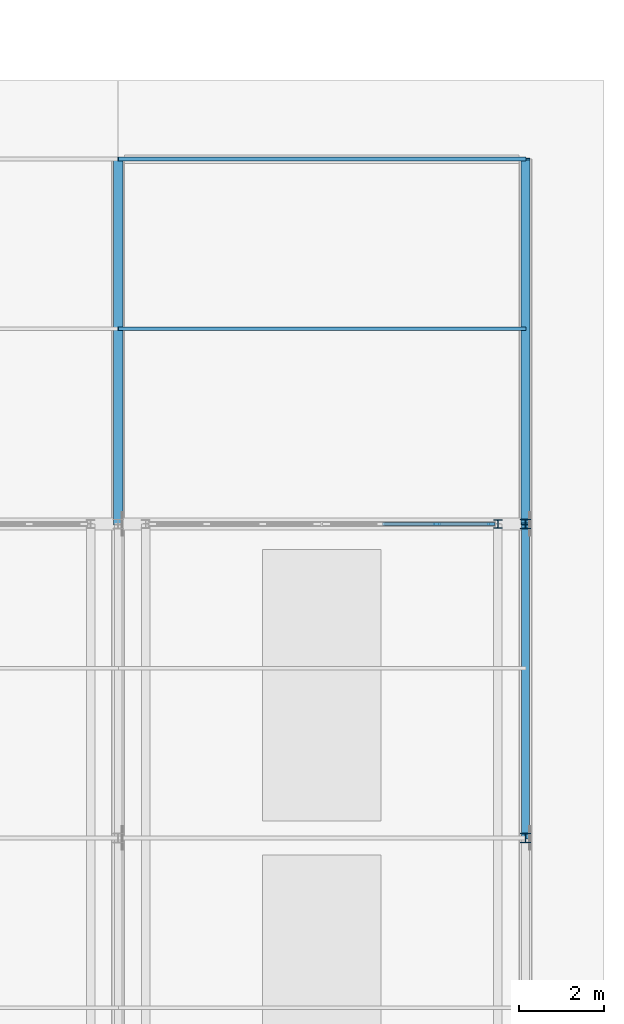
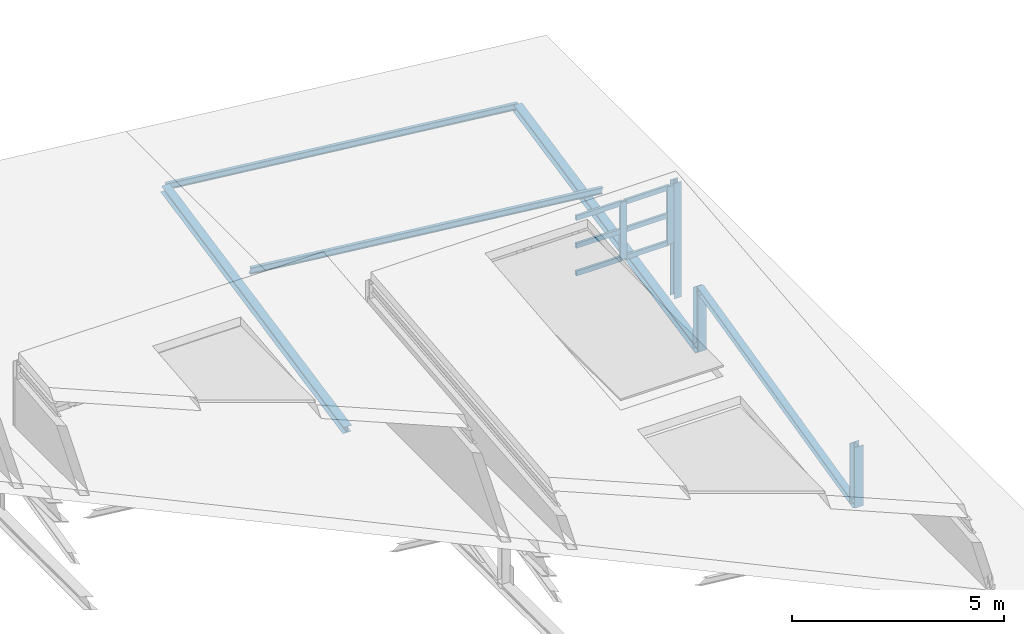
# One storey, part 24 of 30: 16 members, 1 element without a shape of its own.
"""IFC4 building model written with IfcOpenShell, lengths in metres."""

from ifc_helpers import new_model, si_unit, direction, frame, origin, origin_2d, place, context, subcontext, project, spatial, rectangle, i_section, extrude, material, layer, layer_set, material_profile, profile_set, type_object, element, aggregate, save


model = new_model("IFC4")

# Units and contexts
model_context = context("Model", 3, precision=1e-05, world=origin(), true_north=direction((0.0, 1.0)))
body_context = subcontext(model_context, "Body", "Model", "MODEL_VIEW")
ifc_project = project(units=[si_unit("LENGTHUNIT", "METRE"), si_unit("AREAUNIT", "SQUARE_METRE"), si_unit("VOLUMEUNIT", "CUBIC_METRE"), si_unit("PLANEANGLEUNIT", "RADIAN"), si_unit("MASSUNIT", "GRAM", prefix="KILO")], contexts=[model_context])

# Site, building, storey
site_placement = place(None, origin())
site = spatial("IfcSite", under=ifc_project, at=site_placement, CompositionType="ELEMENT")
building_placement = place(site_placement, origin())
building = spatial("IfcBuilding", under=site, at=building_placement, Name="Alderhovde Museum", CompositionType="ELEMENT")
storey_placement = place(building_placement, frame((0.0, 0.0, 30.699951171875)))
storey = spatial("IfcBuildingStorey", under=building, at=storey_placement, Name="RF", CompositionType="ELEMENT", Elevation=30.699951171875)

# Curtain wall, members
ifc_material_1 = material(Name="Triple-Glazed Bronze-Anodised Curtain Wall", Category="glass")
ifc_layer = layer(ifc_material_1, 0.179931640625)
ifc_layer_set = layer_set([ifc_layer], Name="Triple-Glazed Bronze-Anodised Curtain Wall")
curtain_wall_type = type_object("IfcCurtainWallType", Name="CW-STIC-394x166", PredefinedType="USERDEFINED", material=ifc_layer_set)
curtain_wall_placement = place(storey_placement, origin())
curtain_wall = element("IfcCurtainWall", 1, at=curtain_wall_placement, inside=storey, type_object=curtain_wall_type, Name="RF Stick Curtain Wall 178", ObjectType="STICK CURTAIN WALL", PredefinedType="USERDEFINED")
ifc_material_2 = material(Name="Bronze-Anodised Aluminium EN AW-6063-T6", Category="aluminium")
ifc_material_profile_1 = material_profile(ifc_material_2, rectangle(XDim=0.06494140625, YDim=0.179931640625, at=origin_2d()), Name="MULLION 65x180")
ifc_profile_set_1 = profile_set([ifc_material_profile_1], Name="Bronze-Anodised Aluminium EN AW-6063-T6")
member_type_1 = type_object("IfcMemberType", Name="CWM-65x180", PredefinedType="MULLION", material=ifc_profile_set_1)
member_1_placement = place(storey_placement, frame((74.706787109375, 71.39990234375, -6.421875), z_axis=(0.0, 0.0, 1.0), x_axis=(0.0, 1.0, 0.0)))
member_1 = element("IfcMember", 2, at=member_1_placement, type_object=member_type_1, Name="CW39 mullion 3", PredefinedType="MULLION", context=body_context, shape_type="SweptSolid", body=[
    extrude(rectangle(XDim=0.06494140625, YDim=0.179931640625, at=origin_2d()), origin(), (0.0, 0.0, 1.0), 1.659912109375),
])
member_2_placement = place(storey_placement, frame((75.987548828125, 71.39990234375, -6.421875), z_axis=(0.0, 0.0, 1.0), x_axis=(0.0, 1.0, 0.0)))
member_2 = element("IfcMember", 3, at=member_2_placement, type_object=member_type_1, Name="CW39 mullion 4", PredefinedType="MULLION", context=body_context, shape_type="SweptSolid", body=[
    extrude(rectangle(XDim=0.06494140625, YDim=0.179931640625, at=origin_2d()), origin(), (0.0, 0.0, 1.0), 1.659912109375),
])
ifc_material_3 = material(Name="Bronze-Anodised Aluminium EN AW-6063-T6", Category="aluminium")
ifc_material_profile_2 = material_profile(ifc_material_3, rectangle(XDim=0.06494140625, YDim=0.139892578125, at=origin_2d()), Name="TRANSOM 65x140")
ifc_profile_set_2 = profile_set([ifc_material_profile_2], Name="Bronze-Anodised Aluminium EN AW-6063-T6")
member_type_2 = type_object("IfcMemberType", Name="CWT-65x140", PredefinedType="USERDEFINED", material=ifc_profile_set_2)
member_3_placement = place(storey_placement, frame((73.42578125, 71.39990234375, -6.389404296875), z_axis=(1.0, 0.0, 0.0), x_axis=(0.0, 1.0, 0.0)))
member_3 = element("IfcMember", 4, at=member_3_placement, type_object=member_type_2, Name="CW39 transom 2.1", ObjectType="TRANSOM", PredefinedType="USERDEFINED", context=body_context, shape_type="SweptSolid", body=[
    extrude(rectangle(XDim=0.06494140625, YDim=0.139892578125, at=origin_2d()), origin(), (0.0, 0.0, 1.0), 1.248291015625),
])
member_4_placement = place(storey_placement, frame((73.42578125, 71.39990234375, -5.592041015625), z_axis=(1.0, 0.0, 0.0), x_axis=(0.0, 1.0, 0.0)))
member_4 = element("IfcMember", 5, at=member_4_placement, type_object=member_type_2, Name="CW39 transom 2.2", ObjectType="TRANSOM", PredefinedType="USERDEFINED", context=body_context, shape_type="SweptSolid", body=[
    extrude(rectangle(XDim=0.06494140625, YDim=0.139892578125, at=origin_2d()), origin(), (0.0, 0.0, 1.0), 1.248291015625),
])
member_5_placement = place(storey_placement, frame((73.42578125, 71.39990234375, -4.79443359375), z_axis=(1.0, 0.0, 0.0), x_axis=(0.0, 1.0, 0.0)))
member_5 = element("IfcMember", 6, at=member_5_placement, type_object=member_type_2, Name="CW39 transom 2.3", ObjectType="TRANSOM", PredefinedType="USERDEFINED", context=body_context, shape_type="SweptSolid", body=[
    extrude(rectangle(XDim=0.06494140625, YDim=0.139892578125, at=origin_2d()), origin(), (0.0, 0.0, 1.0), 1.248291015625),
])
member_6_placement = place(storey_placement, frame((74.7392578125, 71.39990234375, -6.389404296875), z_axis=(1.0, 0.0, 0.0), x_axis=(0.0, 1.0, 0.0)))
member_6 = element("IfcMember", 7, at=member_6_placement, type_object=member_type_2, Name="CW39 transom 3.1", ObjectType="TRANSOM", PredefinedType="USERDEFINED", context=body_context, shape_type="SweptSolid", body=[
    extrude(rectangle(XDim=0.06494140625, YDim=0.139892578125, at=origin_2d()), origin(), (0.0, 0.0, 1.0), 1.2158203125),
])
member_7_placement = place(storey_placement, frame((74.7392578125, 71.39990234375, -5.592041015625), z_axis=(1.0, 0.0, 0.0), x_axis=(0.0, 1.0, 0.0)))
member_7 = element("IfcMember", 8, at=member_7_placement, type_object=member_type_2, Name="CW39 transom 3.2", ObjectType="TRANSOM", PredefinedType="USERDEFINED", context=body_context, shape_type="SweptSolid", body=[
    extrude(rectangle(XDim=0.06494140625, YDim=0.139892578125, at=origin_2d()), origin(), (0.0, 0.0, 1.0), 1.2158203125),
])
member_8_placement = place(storey_placement, frame((74.7392578125, 71.39990234375, -4.79443359375), z_axis=(1.0, 0.0, 0.0), x_axis=(0.0, 1.0, 0.0)))
member_8 = element("IfcMember", 9, at=member_8_placement, type_object=member_type_2, Name="CW39 transom 3.3", ObjectType="TRANSOM", PredefinedType="USERDEFINED", context=body_context, shape_type="SweptSolid", body=[
    extrude(rectangle(XDim=0.06494140625, YDim=0.139892578125, at=origin_2d()), origin(), (0.0, 0.0, 1.0), 1.2158203125),
])
aggregate(curtain_wall, [member_1, member_2, member_3, member_4, member_5, member_6, member_7, member_8])

# Members
ifc_material_4 = material(Name="Steel S355J2", Category="steel")
ifc_material_profile_3 = material_profile(ifc_material_4, i_section(OverallWidth=0.091064453125, OverallDepth=0.179931640625, WebThickness=0.00537109375, FlangeThickness=0.008056640625, FilletRadius=0.009033203125, at=origin_2d()), Name="IPE 180")
ifc_profile_set_3 = profile_set([ifc_material_profile_3], Name="Steel S355J2")
member_type_3 = type_object("IfcMemberType", Name="PRL-IPE180", PredefinedType="PURLIN", material=ifc_profile_set_3)
for number, where, z_axis, x_axis, name in (
    (10, (67.199951171875, 76.0, -6.921630859375), (0.994201715794, 0.0, -0.107531150432), (0.0, 1.0, 0.0), "Folded Wing Roof Purlin Bay 7 Y=76"),
    (11, (67.199951171875, 80.0, -6.921630859375), (0.994201715794, 0.0, -0.107531150432), (0.0, 1.0, 0.0), "Folded Wing Roof Purlin Bay 7 Y=80"),
):
    element("IfcMember", number, at=place(storey_placement, frame(where, z_axis=z_axis, x_axis=x_axis)), inside=storey, type_object=member_type_3, Name=name, PredefinedType="PURLIN", context=body_context, shape_type="SweptSolid", body=[
        extrude(i_section(OverallWidth=0.091064453125, OverallDepth=0.179931640625, WebThickness=0.00537109375, FlangeThickness=0.008056640625, FilletRadius=0.009033203125, at=origin_2d()), origin(), (0.0, 0.0, 1.0), 9.656005859375),
    ])
ifc_material_5 = material(Name="Steel S355J2", Category="steel")
ifc_material_profile_4 = material_profile(ifc_material_5, i_section(OverallWidth=0.179931640625, OverallDepth=0.1708984375, WebThickness=0.006103515625, FlangeThickness=0.009521484375, FilletRadius=0.014892578125, at=origin_2d()), Name="HEA 180")
ifc_profile_set_4 = profile_set([ifc_material_profile_4], Name="Steel S355J2")
member_type_4 = type_object("IfcMemberType", Name="TR-DG-HEA180", PredefinedType="RAFTER", material=ifc_profile_set_4)
member_9_placement = place(storey_placement, frame((76.800048828125, 64.0, -9.75), z_axis=(0.0, 0.973157163281, 0.230141555473), x_axis=(-1.0, 0.0, 0.0)))
element("IfcMember", 12, at=member_9_placement, inside=storey, type_object=member_type_4, Name="Sawtooth Roof Truss X=76.8 Web Diagonal 3", PredefinedType="RAFTER", context=body_context, shape_type="SweptSolid", body=[
    extrude(i_section(OverallWidth=0.179931640625, OverallDepth=0.1708984375, WebThickness=0.006103515625, FlangeThickness=0.009521484375, FilletRadius=0.014892578125, at=origin_2d()), origin(), (0.0, 0.0, 1.0), 7.60400390625),
])
ifc_material_6 = material(Name="Steel S355J2", Category="steel")
ifc_material_profile_5 = material_profile(ifc_material_6, i_section(OverallWidth=0.219970703125, OverallDepth=0.2099609375, WebThickness=0.007080078125, FlangeThickness=0.010986328125, FilletRadius=0.01806640625, at=origin_2d()), Name="HEA 220")
ifc_profile_set_5 = profile_set([ifc_material_profile_5], Name="Steel S355J2")
member_type_5 = type_object("IfcMemberType", Name="TR-DG-HEA220", PredefinedType="RAFTER", material=ifc_profile_set_5)
for number, where, z_axis, x_axis, name in (
    (13, (67.199951171875, 71.39990234375, -8.711669921875), (0.0, 0.97991824063, 0.199399703311), (-1.0, 0.0, 0.0), "Sawtooth Roof Truss X=67.2 Web Diagonal 4"),
    (14, (76.800048828125, 71.39990234375, -9.75), (0.0, 0.97991824063, 0.199399703311), (-1.0, 0.0, 0.0), "Sawtooth Roof Truss X=76.8 Web Diagonal 4"),
):
    element("IfcMember", number, at=place(storey_placement, frame(where, z_axis=z_axis, x_axis=x_axis)), inside=storey, type_object=member_type_5, Name=name, PredefinedType="RAFTER", context=body_context, shape_type="SweptSolid", body=[
        extrude(i_section(OverallWidth=0.219970703125, OverallDepth=0.2099609375, WebThickness=0.007080078125, FlangeThickness=0.010986328125, FilletRadius=0.01806640625, at=origin_2d()), origin(), (0.0, 0.0, 1.0), 8.7763671875),
    ])
ifc_material_7 = material(Name="Steel S355J2", Category="steel")
ifc_material_profile_6 = material_profile(ifc_material_7, i_section(OverallWidth=0.199951171875, OverallDepth=0.18994140625, WebThickness=0.006591796875, FlangeThickness=0.010009765625, FilletRadius=0.01806640625, at=origin_2d()), Name="HEA 200")
ifc_profile_set_6 = profile_set([ifc_material_profile_6], Name="Steel S355J2")
member_type_6 = type_object("IfcMemberType", Name="TR-PS-HEA200", PredefinedType="POST", material=ifc_profile_set_6)
member_10_placement = place(storey_placement, frame((76.14990234375, 71.39990234375, -8.0), z_axis=(0.0, 0.0, 1.0), x_axis=(1.0, 0.0, 0.0)))
element("IfcMember", 15, at=member_10_placement, inside=storey, type_object=member_type_6, Name="Sawtooth Monitor Post Bay 7-3", PredefinedType="POST", context=body_context, shape_type="SweptSolid", body=[
    extrude(i_section(OverallWidth=0.199951171875, OverallDepth=0.18994140625, WebThickness=0.006591796875, FlangeThickness=0.010009765625, FilletRadius=0.01806640625, at=origin_2d()), origin(), (0.0, 0.0, 1.0), 3.328369140625),
])
ifc_material_8 = material(Name="Steel S355J2", Category="steel")
ifc_material_profile_7 = material_profile(ifc_material_8, i_section(OverallWidth=0.239990234375, OverallDepth=0.22998046875, WebThickness=0.007568359375, FlangeThickness=0.011962890625, FilletRadius=0.02099609375, at=origin_2d()), Name="HEA 240")
ifc_profile_set_7 = profile_set([ifc_material_profile_7], Name="Steel S355J2")
member_type_7 = type_object("IfcMemberType", Name="TR-PS-HEA240", PredefinedType="POST", material=ifc_profile_set_7)
for number, where, z_axis, x_axis, name in (
    (16, (76.800048828125, 64.0, -9.75), (0.0, 0.0, 1.0), (1.0, 0.0, 0.0), "Sawtooth Roof Truss X=76.8 Web Post 2"),
    (17, (76.800048828125, 71.39990234375, -9.75), (0.0, 0.0, 1.0), (1.0, 0.0, 0.0), "Sawtooth Roof Truss X=76.8 Web Post 3"),
):
    element("IfcMember", number, at=place(storey_placement, frame(where, z_axis=z_axis, x_axis=x_axis)), inside=storey, type_object=member_type_7, Name=name, PredefinedType="POST", context=body_context, shape_type="SweptSolid", body=[
        extrude(i_section(OverallWidth=0.239990234375, OverallDepth=0.22998046875, WebThickness=0.007568359375, FlangeThickness=0.011962890625, FilletRadius=0.02099609375, at=origin_2d()), origin(), (0.0, 0.0, 1.0), 1.75),
    ])

save(model, "model.ifc")
